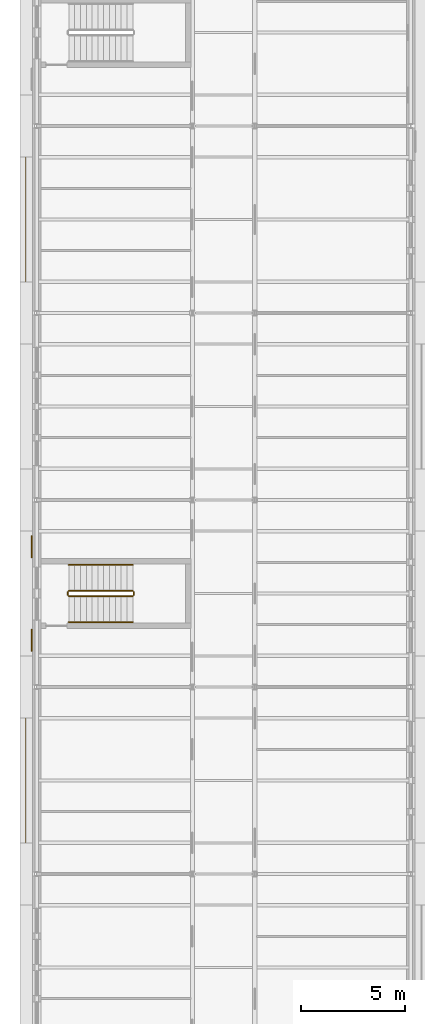
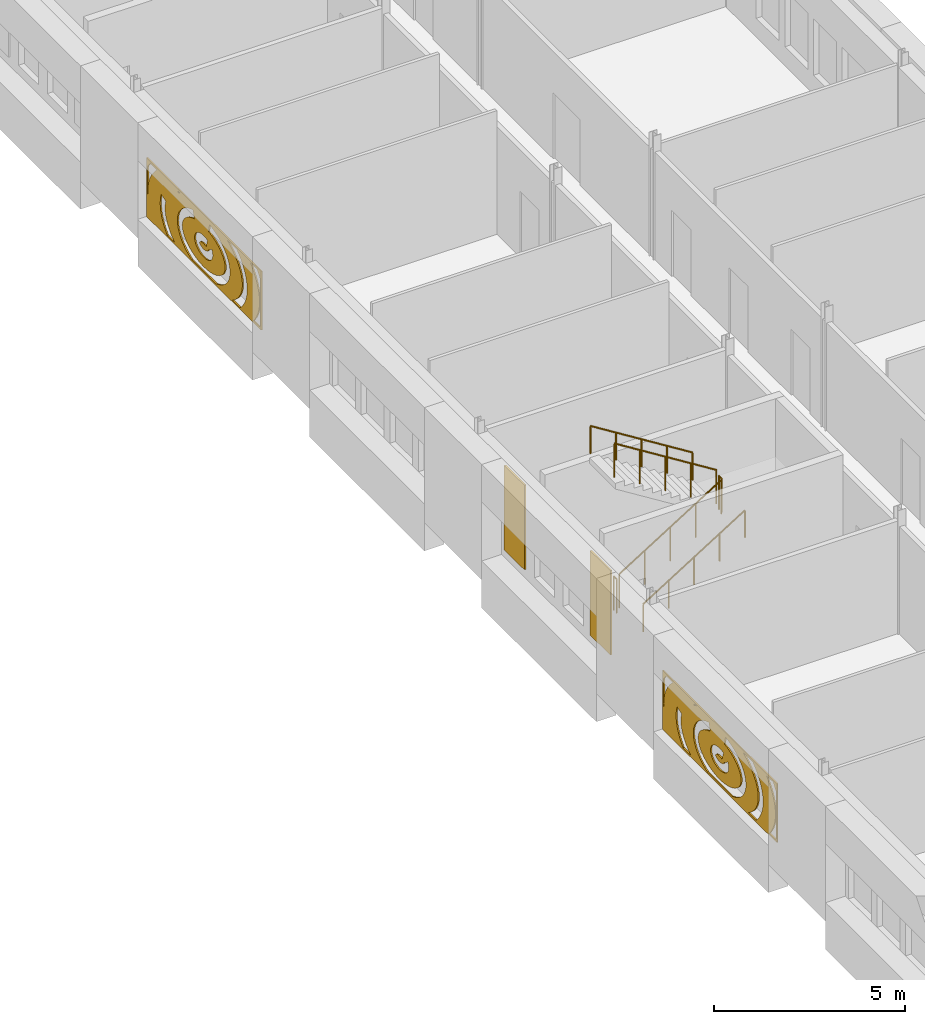
# One storey, part 35 of 42: 6 railings, 4 coverings.
"""IFC4 building model written with IfcOpenShell, lengths in metres."""

from ifc_helpers import new_model, si_unit, direction, frame, origin, origin_2d, place, context, subcontext, project, spatial, polyline, circle, outline, extrude, material, layer, layer_set, type_object, element, save


model = new_model("IFC4")

# Units and contexts
model_context = context("Model", 3, precision=1e-05, world=origin(), true_north=direction((0.0, 1.0)))
body_context = subcontext(model_context, "Body", "Model", "MODEL_VIEW")
ifc_project = project(units=[si_unit("LENGTHUNIT", "METRE"), si_unit("AREAUNIT", "SQUARE_METRE"), si_unit("VOLUMEUNIT", "CUBIC_METRE"), si_unit("PLANEANGLEUNIT", "RADIAN"), si_unit("MASSUNIT", "GRAM", prefix="KILO")], contexts=[model_context])

# Site, building, storey
site_placement = place(None, origin())
site = spatial("IfcSite", under=ifc_project, at=site_placement, CompositionType="ELEMENT")
building_placement = place(site_placement, origin())
building = spatial("IfcBuilding", under=site, at=building_placement, Name="Golden Quay Civic Hall", CompositionType="ELEMENT")
storey_placement = place(building_placement, frame((0.0, 0.0, 22.800048828125)))
storey = spatial("IfcBuildingStorey", under=building, at=storey_placement, Name="L05", CompositionType="ELEMENT", Elevation=22.800048828125)

# Coverings
ifc_material_1 = material(Name="Aluminium, golden anodised, perforated", Category="aluminium")
ifc_layer_1 = layer(ifc_material_1, 0.0400390625)
ifc_layer_set_1 = layer_set([ifc_layer_1], Name="Perforated screen panel 6000 x 1880 x 40")
covering_type_1 = type_object("IfcCoveringType", Name="Perforated screen panel 6000 x 1880 x 40", PredefinedType="CLADDING", material=ifc_layer_set_1)
covering_1_placement = place(storey_placement, frame((-0.5, 22.5, 1.5400390625), z_axis=(-1.0, 0.0, 0.0), x_axis=(0.0, -1.0, 0.0)))
element("IfcCovering", 1, at=covering_1_placement, inside=storey, type_object=covering_type_1, Name="Perforated screen panel 6000 x 1880 x 40 L05 1", PredefinedType="CLADDING", context=body_context, shape_type="SweptSolid", body=[
    extrude(outline(polyline([(-3.0, -0.93994140625), (3.0, -0.93994140625), (3.0, 0.93994140625), (-3.0, 0.93994140625), (-3.0, -0.93994140625)]), holes=[polyline([(0.079833984375, 0.0029296875), (0.031005859375, 0.009521484375), (-0.02001953125, 0.010009765625), (-0.069580078125, 0.0048828125), (-0.115478515625, -0.005615234375), (-0.155029296875, -0.0205078125), (-0.18603515625, -0.03759765625), (-0.214111328125, -0.06201171875), (-0.22119140625, -0.0732421875), (-0.22265625, -0.08349609375), (-0.20703125, -0.105712890625), (-0.17138671875, -0.13134765625), (-0.1357421875, -0.147705078125), (-0.092529296875, -0.160400390625), (-0.04443359375, -0.168212890625), (0.006103515625, -0.17041015625), (0.056396484375, -0.166748046875), (0.103515625, -0.15771484375), (0.14501953125, -0.143798828125), (0.19189453125, -0.118408203125), (0.210693359375, -0.101806640625), (0.22216796875, -0.085205078125), (0.22216796875, -0.0751953125), (0.212646484375, -0.05908203125), (0.4267578125, 0.07568359375), (0.446533203125, 0.042236328125), (0.461669921875, 0.00634765625), (0.4716796875, -0.03173828125), (0.47607421875, -0.07080078125), (0.474609375, -0.110107421875), (0.46728515625, -0.1484375), (0.45458984375, -0.184814453125), (0.425537109375, -0.2373046875), (0.392578125, -0.27783203125), (0.345703125, -0.3193359375), (0.304931640625, -0.34619140625), (0.237060546875, -0.379638671875), (0.171142578125, -0.4013671875), (0.09326171875, -0.4169921875), (0.013427734375, -0.42333984375), (-0.066650390625, -0.420166015625), (-0.14501953125, -0.40771484375), (-0.2197265625, -0.38623046875), (-0.289306640625, -0.355224609375), (-0.33056640625, -0.330078125), (-0.3798828125, -0.290283203125), (-0.41455078125, -0.25244140625), (-0.447021484375, -0.201416015625), (-0.467041015625, -0.14892578125), (-0.47607421875, -0.090087890625), (-0.4716796875, -0.031982421875), (-0.45458984375, 0.025146484375), (-0.436767578125, 0.059814453125), (-0.4150390625, 0.091796875), (-0.380615234375, 0.1298828125), (-0.322265625, 0.17578125), (-0.256103515625, 0.21142578125), (-0.183837890625, 0.23779296875), (-0.14599609375, 0.24755859375), (-0.074951171875, 0.25927734375), (0.012451171875, 0.26318359375), (0.084716796875, 0.25830078125), (0.1240234375, 0.252197265625), (0.199951171875, 0.23291015625), (0.128662109375, -0.009765625), (0.079833984375, 0.0029296875)]), polyline([(-0.645263671875, 0.447998046875), (-0.715087890625, 0.41650390625), (-0.780517578125, 0.382080078125), (-0.8408203125, 0.345458984375), (-0.895751953125, 0.306396484375), (-0.94482421875, 0.265380859375), (-0.988037109375, 0.22314453125), (-1.025146484375, 0.179931640625), (-1.05615234375, 0.135986328125), (-1.0810546875, 0.092041015625), (-1.10009765625, 0.048095703125), (-1.11328125, 0.00439453125), (-1.12109375, -0.039306640625), (-1.123291015625, -0.082763671875), (-1.120361328125, -0.126220703125), (-1.11181640625, -0.169677734375), (-1.097900390625, -0.21337890625), (-1.078369140625, -0.257568359375), (-1.052734375, -0.301513671875), (-1.02099609375, -0.34521484375), (-0.983154296875, -0.388427734375), (-0.939208984375, -0.4306640625), (-0.88916015625, -0.47119140625), (-0.833740234375, -0.510009765625), (-0.772705078125, -0.546630859375), (-0.706787109375, -0.58056640625), (-0.63623046875, -0.611572265625), (-0.5615234375, -0.639404296875), (-0.483154296875, -0.663818359375), (-0.401611328125, -0.684326171875), (-0.317626953125, -0.701416015625), (-0.2314453125, -0.714111328125), (-0.143798828125, -0.722900390625), (-0.05517578125, -0.727783203125), (0.03369140625, -0.728271484375), (0.122314453125, -0.724609375), (0.21044921875, -0.716796875), (0.296875, -0.704833984375), (0.381591796875, -0.68896484375), (0.463623046875, -0.669189453125), (0.54296875, -0.6455078125), (0.618408203125, -0.61865234375), (0.690185546875, -0.58837890625), (0.757080078125, -0.55517578125), (0.8193359375, -0.51904296875), (0.876220703125, -0.48095703125), (0.927490234375, -0.440673828125), (0.972900390625, -0.398681640625), (1.01220703125, -0.35595703125), (1.04541015625, -0.312255859375), (1.07275390625, -0.268310546875), (1.09375, -0.22412109375), (1.109130859375, -0.180419921875), (1.118896484375, -0.13671875), (1.123046875, -0.09326171875), (1.1220703125, -0.0498046875), (1.115478515625, -0.00634765625), (1.103759765625, 0.037353515625), (1.086181640625, 0.081298828125), (1.062744140625, 0.12548828125), (1.033203125, 0.16943359375), (0.99755859375, 0.212890625), (0.955810546875, 0.25537109375), (0.908203125, 0.296630859375), (0.854736328125, 0.336181640625), (0.795654296875, 0.37353515625), (0.7314453125, 0.408447265625), (0.66259765625, 0.4404296875), (0.58935546875, 0.469482421875), (0.51220703125, 0.4951171875), (0.431884765625, 0.517333984375), (0.3486328125, 0.53564453125), (0.26025390625, 0.55029296875), (0.30224609375, 0.7998046875), (0.393798828125, 0.784423828125), (0.489501953125, 0.763671875), (0.589111328125, 0.736083984375), (0.672607421875, 0.70849609375), (0.75927734375, 0.67431640625), (0.841796875, 0.635986328125), (0.927490234375, 0.58935546875), (1.001220703125, 0.542236328125), (1.062255859375, 0.4970703125), (1.125244140625, 0.443359375), (1.18212890625, 0.385986328125), (1.23974609375, 0.3154296875), (1.282958984375, 0.25), (1.312744140625, 0.194091796875), (1.34130859375, 0.12451171875), (1.36181640625, 0.052734375), (1.374755859375, -0.035888671875), (1.37548828125, -0.1103515625), (1.3671875, -0.18408203125), (1.350341796875, -0.256591796875), (1.330078125, -0.314208984375), (1.2978515625, -0.383544921875), (1.25048828125, -0.46044921875), (1.20263671875, -0.5224609375), (1.15576171875, -0.573486328125), (1.087646484375, -0.636474609375), (1.021240234375, -0.68798828125), (0.94970703125, -0.73583984375), (0.880126953125, -0.776123046875), (0.7919921875, -0.81982421875), (0.713623046875, -0.852783203125), (0.638427734375, -0.8798828125), (-0.639404296875, -0.8798828125), (-0.727783203125, -0.847412109375), (-0.81201171875, -0.810546875), (-0.89208984375, -0.76953125), (-0.967529296875, -0.724609375), (-1.037841796875, -0.67578125), (-1.102783203125, -0.623291015625), (-1.162109375, -0.5673828125), (-1.22216796875, -0.49853515625), (-1.26806640625, -0.434326171875), (-1.306396484375, -0.366943359375), (-1.331787109375, -0.310302734375), (-1.355224609375, -0.2392578125), (-1.3720703125, -0.151123046875), (-1.376220703125, -0.09228515625), (-1.373046875, -0.01806640625), (-1.357421875, 0.0703125), (-1.335205078125, 0.1416015625), (-1.3046875, 0.210693359375), (-1.266357421875, 0.27685546875), (-1.228271484375, 0.330810546875), (-1.176513671875, 0.39208984375), (-1.1181640625, 0.44970703125), (-1.046142578125, 0.509521484375), (-0.9765625, 0.558837890625), (-0.901611328125, 0.604248046875), (-0.822265625, 0.6455078125), (-0.738525390625, 0.682861328125), (-0.651123046875, 0.716064453125), (-0.566650390625, 0.742919921875), (-0.489990234375, 0.501953125), (-0.571044921875, 0.47607421875), (-0.645263671875, 0.447998046875)]), polyline([(-2.017333984375, 0.01220703125), (-2.023193359375, -0.059814453125), (-2.021484375, -0.132080078125), (-2.012451171875, -0.2041015625), (-1.995849609375, -0.27587890625), (-1.9716796875, -0.347900390625), (-1.93994140625, -0.419189453125), (-1.900390625, -0.48974609375), (-1.85302734375, -0.5595703125), (-1.798095703125, -0.628173828125), (-1.73583984375, -0.695068359375), (-1.666015625, -0.759765625), (-1.5888671875, -0.822265625), (-1.5078125, -0.8798828125), (-1.908203125, -0.8798828125), (-1.99267578125, -0.7900390625), (-2.059814453125, -0.70556640625), (-2.118408203125, -0.617919921875), (-2.163330078125, -0.53759765625), (-2.205078125, -0.4453125), (-2.237548828125, -0.350830078125), (-2.26025390625, -0.25439453125), (-2.273193359375, -0.156982421875), (-2.276123046875, -0.05908203125), (-2.268798828125, 0.038818359375), (-2.251708984375, 0.13623046875), (-2.224609375, 0.232421875), (-1.9814453125, 0.162109375), (-2.00390625, 0.084228515625), (-2.017333984375, 0.01220703125)]), polyline([(1.507080078125, -0.8798828125), (1.608642578125, -0.806884765625), (1.68408203125, -0.743896484375), (1.751953125, -0.678466796875), (1.8125, -0.611083984375), (1.865478515625, -0.54248046875), (1.910888671875, -0.472412109375), (1.948486328125, -0.4013671875), (1.978515625, -0.330078125), (2.00048828125, -0.258056640625), (2.015380859375, -0.18603515625), (2.022705078125, -0.114013671875), (2.022216796875, -0.0419921875), (2.0146484375, 0.0302734375), (1.99951171875, 0.102294921875), (1.976806640625, 0.174072265625), (1.946533203125, 0.245361328125), (1.90869140625, 0.31640625), (1.86279296875, 0.38623046875), (1.809326171875, 0.455078125), (1.748291015625, 0.522216796875), (1.679931640625, 0.58740234375), (1.604248046875, 0.650390625), (1.521728515625, 0.710693359375), (1.4326171875, 0.76806640625), (1.337158203125, 0.822021484375), (1.217529296875, 0.8798828125), (1.71875, 0.8798828125), (1.756591796875, 0.852294921875), (1.844970703125, 0.779296875), (1.9326171875, 0.695556640625), (2.0, 0.621337890625), (2.065673828125, 0.537353515625), (2.123291015625, 0.4501953125), (2.172119140625, 0.35986328125), (2.212158203125, 0.26708984375), (2.24267578125, 0.17236328125), (2.263427734375, 0.075927734375), (2.2744140625, -0.021728515625), (2.275390625, -0.119873046875), (2.266357421875, -0.2177734375), (2.243896484375, -0.326904296875), (2.214111328125, -0.421875), (2.174560546875, -0.514892578125), (2.126220703125, -0.60498046875), (2.069091796875, -0.6923828125), (2.010009765625, -0.769287109375), (1.93701171875, -0.851318359375), (1.9072265625, -0.8798828125), (1.507080078125, -0.8798828125)]), polyline([(-1.218505859375, 0.8798828125), (-1.32666015625, 0.827392578125), (-1.352294921875, 0.8798828125), (-1.218505859375, 0.8798828125)]), polyline([(2.65576171875, -0.81298828125), (2.71826171875, -0.724853515625), (2.772705078125, -0.635498046875), (2.818603515625, -0.544921875), (2.856201171875, -0.453369140625), (2.885498046875, -0.361083984375), (2.906494140625, -0.2685546875), (2.9189453125, -0.17578125), (2.92333984375, -0.0830078125), (2.91943359375, 0.010009765625), (2.907470703125, 0.102783203125), (2.886962890625, 0.1953125), (2.858154296875, 0.28759765625), (2.821044921875, 0.379150390625), (2.775634765625, 0.4697265625), (2.721923828125, 0.559326171875), (2.659912109375, 0.6474609375), (2.589599609375, 0.73388671875), (2.51123046875, 0.818359375), (2.446533203125, 0.8798828125), (2.796875, 0.8798828125), (2.864013671875, 0.796630859375), (2.93994140625, 0.687255859375), (2.93994140625, -0.846923828125), (2.918212890625, -0.8798828125), (2.6005859375, -0.8798828125), (2.65576171875, -0.81298828125)]), polyline([(-2.504638671875, 0.8251953125), (-2.58349609375, 0.740966796875), (-2.654296875, 0.654541015625), (-2.71728515625, 0.56640625), (-2.771484375, 0.47705078125), (-2.817626953125, 0.386474609375), (-2.85546875, 0.294921875), (-2.885009765625, 0.202880859375), (-2.906005859375, 0.1103515625), (-2.9189453125, 0.017578125), (-2.92333984375, -0.075439453125), (-2.91943359375, -0.173828125), (-2.93994140625, -0.1748046875), (-2.93994140625, 0.686767578125), (-2.85791015625, 0.8046875), (-2.79638671875, 0.8798828125), (-2.446533203125, 0.8798828125), (-2.504638671875, 0.8251953125)])]), origin(), (0.0, 0.0, 1.0), 0.0400390625),
])
covering_2_placement = place(storey_placement, frame((-0.5, 49.5, 1.5400390625), z_axis=(-1.0, 0.0, 0.0), x_axis=(0.0, -1.0, 0.0)))
element("IfcCovering", 2, at=covering_2_placement, inside=storey, type_object=covering_type_1, Name="Perforated screen panel 6000 x 1880 x 40 L05 2", PredefinedType="CLADDING", context=body_context, shape_type="SweptSolid", body=[
    extrude(outline(polyline([(-3.0, -0.93994140625), (3.0, -0.93994140625), (3.0, 0.93994140625), (-3.0, 0.93994140625), (-3.0, -0.93994140625)]), holes=[polyline([(0.079833984375, 0.0029296875), (0.031005859375, 0.009521484375), (-0.02001953125, 0.010009765625), (-0.069580078125, 0.0048828125), (-0.115478515625, -0.005615234375), (-0.155029296875, -0.0205078125), (-0.18603515625, -0.03759765625), (-0.214111328125, -0.06201171875), (-0.22119140625, -0.0732421875), (-0.22265625, -0.08349609375), (-0.20703125, -0.105712890625), (-0.17138671875, -0.13134765625), (-0.1357421875, -0.147705078125), (-0.092529296875, -0.160400390625), (-0.04443359375, -0.168212890625), (0.006103515625, -0.17041015625), (0.056396484375, -0.166748046875), (0.103515625, -0.15771484375), (0.14501953125, -0.143798828125), (0.19189453125, -0.118408203125), (0.210693359375, -0.101806640625), (0.22216796875, -0.085205078125), (0.22216796875, -0.0751953125), (0.212646484375, -0.05908203125), (0.4267578125, 0.07568359375), (0.446533203125, 0.042236328125), (0.461669921875, 0.00634765625), (0.4716796875, -0.03173828125), (0.47607421875, -0.07080078125), (0.474609375, -0.110107421875), (0.46728515625, -0.1484375), (0.45458984375, -0.184814453125), (0.425537109375, -0.2373046875), (0.392578125, -0.27783203125), (0.345703125, -0.3193359375), (0.304931640625, -0.34619140625), (0.237060546875, -0.379638671875), (0.171142578125, -0.4013671875), (0.09326171875, -0.4169921875), (0.013427734375, -0.42333984375), (-0.066650390625, -0.420166015625), (-0.14501953125, -0.40771484375), (-0.2197265625, -0.38623046875), (-0.289306640625, -0.355224609375), (-0.33056640625, -0.330078125), (-0.3798828125, -0.290283203125), (-0.41455078125, -0.25244140625), (-0.447021484375, -0.201416015625), (-0.467041015625, -0.14892578125), (-0.47607421875, -0.090087890625), (-0.4716796875, -0.031982421875), (-0.45458984375, 0.025146484375), (-0.436767578125, 0.059814453125), (-0.4150390625, 0.091796875), (-0.380615234375, 0.1298828125), (-0.322265625, 0.17578125), (-0.256103515625, 0.21142578125), (-0.183837890625, 0.23779296875), (-0.14599609375, 0.24755859375), (-0.074951171875, 0.25927734375), (0.012451171875, 0.26318359375), (0.084716796875, 0.25830078125), (0.1240234375, 0.252197265625), (0.199951171875, 0.23291015625), (0.128662109375, -0.009765625), (0.079833984375, 0.0029296875)]), polyline([(-0.645263671875, 0.447998046875), (-0.715087890625, 0.41650390625), (-0.780517578125, 0.382080078125), (-0.8408203125, 0.345458984375), (-0.895751953125, 0.306396484375), (-0.94482421875, 0.265380859375), (-0.988037109375, 0.22314453125), (-1.025146484375, 0.179931640625), (-1.05615234375, 0.135986328125), (-1.0810546875, 0.092041015625), (-1.10009765625, 0.048095703125), (-1.11328125, 0.00439453125), (-1.12109375, -0.039306640625), (-1.123291015625, -0.082763671875), (-1.120361328125, -0.126220703125), (-1.11181640625, -0.169677734375), (-1.097900390625, -0.21337890625), (-1.078369140625, -0.257568359375), (-1.052734375, -0.301513671875), (-1.02099609375, -0.34521484375), (-0.983154296875, -0.388427734375), (-0.939208984375, -0.4306640625), (-0.88916015625, -0.47119140625), (-0.833740234375, -0.510009765625), (-0.772705078125, -0.546630859375), (-0.706787109375, -0.58056640625), (-0.63623046875, -0.611572265625), (-0.5615234375, -0.639404296875), (-0.483154296875, -0.663818359375), (-0.401611328125, -0.684326171875), (-0.317626953125, -0.701416015625), (-0.2314453125, -0.714111328125), (-0.143798828125, -0.722900390625), (-0.05517578125, -0.727783203125), (0.03369140625, -0.728271484375), (0.122314453125, -0.724609375), (0.21044921875, -0.716796875), (0.296875, -0.704833984375), (0.381591796875, -0.68896484375), (0.463623046875, -0.669189453125), (0.54296875, -0.6455078125), (0.618408203125, -0.61865234375), (0.690185546875, -0.58837890625), (0.757080078125, -0.55517578125), (0.8193359375, -0.51904296875), (0.876220703125, -0.48095703125), (0.927490234375, -0.440673828125), (0.972900390625, -0.398681640625), (1.01220703125, -0.35595703125), (1.04541015625, -0.312255859375), (1.07275390625, -0.268310546875), (1.09375, -0.22412109375), (1.109130859375, -0.180419921875), (1.118896484375, -0.13671875), (1.123046875, -0.09326171875), (1.1220703125, -0.0498046875), (1.115478515625, -0.00634765625), (1.103759765625, 0.037353515625), (1.086181640625, 0.081298828125), (1.062744140625, 0.12548828125), (1.033203125, 0.16943359375), (0.99755859375, 0.212890625), (0.955810546875, 0.25537109375), (0.908203125, 0.296630859375), (0.854736328125, 0.336181640625), (0.795654296875, 0.37353515625), (0.7314453125, 0.408447265625), (0.66259765625, 0.4404296875), (0.58935546875, 0.469482421875), (0.51220703125, 0.4951171875), (0.431884765625, 0.517333984375), (0.3486328125, 0.53564453125), (0.26025390625, 0.55029296875), (0.30224609375, 0.7998046875), (0.393798828125, 0.784423828125), (0.489501953125, 0.763671875), (0.589111328125, 0.736083984375), (0.672607421875, 0.70849609375), (0.75927734375, 0.67431640625), (0.841796875, 0.635986328125), (0.927490234375, 0.58935546875), (1.001220703125, 0.542236328125), (1.062255859375, 0.4970703125), (1.125244140625, 0.443359375), (1.18212890625, 0.385986328125), (1.23974609375, 0.3154296875), (1.282958984375, 0.25), (1.312744140625, 0.194091796875), (1.34130859375, 0.12451171875), (1.36181640625, 0.052734375), (1.374755859375, -0.035888671875), (1.37548828125, -0.1103515625), (1.3671875, -0.18408203125), (1.350341796875, -0.256591796875), (1.330078125, -0.314208984375), (1.2978515625, -0.383544921875), (1.25048828125, -0.46044921875), (1.20263671875, -0.5224609375), (1.15576171875, -0.573486328125), (1.087646484375, -0.636474609375), (1.021240234375, -0.68798828125), (0.94970703125, -0.73583984375), (0.880126953125, -0.776123046875), (0.7919921875, -0.81982421875), (0.713623046875, -0.852783203125), (0.638427734375, -0.8798828125), (-0.639404296875, -0.8798828125), (-0.727783203125, -0.847412109375), (-0.81201171875, -0.810546875), (-0.89208984375, -0.76953125), (-0.967529296875, -0.724609375), (-1.037841796875, -0.67578125), (-1.102783203125, -0.623291015625), (-1.162109375, -0.5673828125), (-1.22216796875, -0.49853515625), (-1.26806640625, -0.434326171875), (-1.306396484375, -0.366943359375), (-1.331787109375, -0.310302734375), (-1.355224609375, -0.2392578125), (-1.3720703125, -0.151123046875), (-1.376220703125, -0.09228515625), (-1.373046875, -0.01806640625), (-1.357421875, 0.0703125), (-1.335205078125, 0.1416015625), (-1.3046875, 0.210693359375), (-1.266357421875, 0.27685546875), (-1.228271484375, 0.330810546875), (-1.176513671875, 0.39208984375), (-1.1181640625, 0.44970703125), (-1.046142578125, 0.509521484375), (-0.9765625, 0.558837890625), (-0.901611328125, 0.604248046875), (-0.822265625, 0.6455078125), (-0.738525390625, 0.682861328125), (-0.651123046875, 0.716064453125), (-0.566650390625, 0.742919921875), (-0.489990234375, 0.501953125), (-0.571044921875, 0.47607421875), (-0.645263671875, 0.447998046875)]), polyline([(-2.017333984375, 0.01220703125), (-2.023193359375, -0.059814453125), (-2.021484375, -0.132080078125), (-2.012451171875, -0.2041015625), (-1.995849609375, -0.27587890625), (-1.9716796875, -0.347900390625), (-1.93994140625, -0.419189453125), (-1.900390625, -0.48974609375), (-1.85302734375, -0.5595703125), (-1.798095703125, -0.628173828125), (-1.73583984375, -0.695068359375), (-1.666015625, -0.759765625), (-1.5888671875, -0.822265625), (-1.5078125, -0.8798828125), (-1.908203125, -0.8798828125), (-1.99267578125, -0.7900390625), (-2.059814453125, -0.70556640625), (-2.118408203125, -0.617919921875), (-2.163330078125, -0.53759765625), (-2.205078125, -0.4453125), (-2.237548828125, -0.350830078125), (-2.26025390625, -0.25439453125), (-2.273193359375, -0.156982421875), (-2.276123046875, -0.05908203125), (-2.268798828125, 0.038818359375), (-2.251708984375, 0.13623046875), (-2.224609375, 0.232421875), (-1.9814453125, 0.162109375), (-2.00390625, 0.084228515625), (-2.017333984375, 0.01220703125)]), polyline([(1.507080078125, -0.8798828125), (1.608642578125, -0.806884765625), (1.68408203125, -0.743896484375), (1.751953125, -0.678466796875), (1.8125, -0.611083984375), (1.865478515625, -0.54248046875), (1.910888671875, -0.472412109375), (1.948486328125, -0.4013671875), (1.978515625, -0.330078125), (2.00048828125, -0.258056640625), (2.015380859375, -0.18603515625), (2.022705078125, -0.114013671875), (2.022216796875, -0.0419921875), (2.0146484375, 0.0302734375), (1.99951171875, 0.102294921875), (1.976806640625, 0.174072265625), (1.946533203125, 0.245361328125), (1.90869140625, 0.31640625), (1.86279296875, 0.38623046875), (1.809326171875, 0.455078125), (1.748291015625, 0.522216796875), (1.679931640625, 0.58740234375), (1.604248046875, 0.650390625), (1.521728515625, 0.710693359375), (1.4326171875, 0.76806640625), (1.337158203125, 0.822021484375), (1.217529296875, 0.8798828125), (1.71875, 0.8798828125), (1.756591796875, 0.852294921875), (1.844970703125, 0.779296875), (1.9326171875, 0.695556640625), (2.0, 0.621337890625), (2.065673828125, 0.537353515625), (2.123291015625, 0.4501953125), (2.172119140625, 0.35986328125), (2.212158203125, 0.26708984375), (2.24267578125, 0.17236328125), (2.263427734375, 0.075927734375), (2.2744140625, -0.021728515625), (2.275390625, -0.119873046875), (2.266357421875, -0.2177734375), (2.243896484375, -0.326904296875), (2.214111328125, -0.421875), (2.174560546875, -0.514892578125), (2.126220703125, -0.60498046875), (2.069091796875, -0.6923828125), (2.010009765625, -0.769287109375), (1.93701171875, -0.851318359375), (1.9072265625, -0.8798828125), (1.507080078125, -0.8798828125)]), polyline([(-1.218505859375, 0.8798828125), (-1.32666015625, 0.827392578125), (-1.352294921875, 0.8798828125), (-1.218505859375, 0.8798828125)]), polyline([(2.65576171875, -0.81298828125), (2.71826171875, -0.724853515625), (2.772705078125, -0.635498046875), (2.818603515625, -0.544921875), (2.856201171875, -0.453369140625), (2.885498046875, -0.361083984375), (2.906494140625, -0.2685546875), (2.9189453125, -0.17578125), (2.92333984375, -0.0830078125), (2.91943359375, 0.010009765625), (2.907470703125, 0.102783203125), (2.886962890625, 0.1953125), (2.858154296875, 0.28759765625), (2.821044921875, 0.379150390625), (2.775634765625, 0.4697265625), (2.721923828125, 0.559326171875), (2.659912109375, 0.6474609375), (2.589599609375, 0.73388671875), (2.51123046875, 0.818359375), (2.446533203125, 0.8798828125), (2.796875, 0.8798828125), (2.864013671875, 0.796630859375), (2.93994140625, 0.687255859375), (2.93994140625, -0.846923828125), (2.918212890625, -0.8798828125), (2.6005859375, -0.8798828125), (2.65576171875, -0.81298828125)]), polyline([(-2.504638671875, 0.8251953125), (-2.58349609375, 0.740966796875), (-2.654296875, 0.654541015625), (-2.71728515625, 0.56640625), (-2.771484375, 0.47705078125), (-2.817626953125, 0.386474609375), (-2.85546875, 0.294921875), (-2.885009765625, 0.202880859375), (-2.906005859375, 0.1103515625), (-2.9189453125, 0.017578125), (-2.92333984375, -0.075439453125), (-2.91943359375, -0.173828125), (-2.93994140625, -0.1748046875), (-2.93994140625, 0.686767578125), (-2.85791015625, 0.8046875), (-2.79638671875, 0.8798828125), (-2.446533203125, 0.8798828125), (-2.504638671875, 0.8251953125)])]), origin(), (0.0, 0.0, 1.0), 0.0400390625),
])

# Railings
ifc_material_2 = material(Name="Steel S355", Category="steel")
railing_type_1 = type_object("IfcRailingType", Name="Steel guard 1100", PredefinedType="GUARDRAIL", material=ifc_material_2)
railing_1_placement = place(storey_placement, frame((1.550048828125, 31.375, 0.175048828125)))
element("IfcRailing", 3, at=railing_1_placement, inside=storey, type_object=railing_type_1, Name="L05 WO-M stair guard 1", PredefinedType="GUARDRAIL", context=body_context, shape_type="SweptSolid", body=[
    extrude(circle(Radius=0.02392578125, at=origin_2d()), frame((0.0, 0.0, 1.076171875), z_axis=(0.848009633417, 0.0, 0.529980812513), x_axis=(0.0, 1.0, 0.0)), (0.0, 0.0, 1.0), 3.6318359375),
    extrude(circle(Radius=0.02099609375, at=origin_2d()), origin(), (0.0, 0.0, 1.0), 1.052001953125),
    extrude(circle(Radius=0.02099609375, at=origin_2d()), frame((0.77001953125, 0.0, 0.481201171875)), (0.0, 0.0, 1.0), 1.052001953125),
    extrude(circle(Radius=0.02099609375, at=origin_2d()), frame((1.5400390625, 0.0, 0.96240234375)), (0.0, 0.0, 1.0), 1.052001953125),
    extrude(circle(Radius=0.02099609375, at=origin_2d()), frame((2.309814453125, 0.0, 1.443603515625)), (0.0, 0.0, 1.0), 1.052001953125),
    extrude(circle(Radius=0.02099609375, at=origin_2d()), frame((3.079833984375, 0.0, 1.9248046875)), (0.0, 0.0, 1.0), 1.052001953125),
])
railing_2_placement = place(storey_placement, frame((4.679931640625, 31.425048828125, 2.099853515625)))
element("IfcRailing", 4, at=railing_2_placement, inside=storey, type_object=railing_type_1, Name="L05 WO-M stair guard 2", PredefinedType="GUARDRAIL", context=body_context, shape_type="SweptSolid", body=[
    extrude(circle(Radius=0.02392578125, at=origin_2d()), frame((0.0, 0.0, 1.076171875), z_axis=(0.0, 1.0, 0.0), x_axis=(-1.0, 0.0, 0.0)), (0.0, 0.0, 1.0), 0.14990234375),
    extrude(circle(Radius=0.02099609375, at=origin_2d()), origin(), (0.0, 0.0, 1.0), 1.052001953125),
    extrude(circle(Radius=0.02099609375, at=origin_2d()), frame((0.0, 0.14990234375, 0.0)), (0.0, 0.0, 1.0), 1.052001953125),
])
railing_3_placement = place(storey_placement, frame((4.6298828125, 31.625, 2.27490234375)))
element("IfcRailing", 5, at=railing_3_placement, inside=storey, type_object=railing_type_1, Name="L05 WO-M stair guard 3", PredefinedType="GUARDRAIL", context=body_context, shape_type="SweptSolid", body=[
    extrude(circle(Radius=0.02392578125, at=origin_2d()), frame((0.0, 0.0, 1.076171875), z_axis=(-0.847979421464, 0.0, 0.530029150871), x_axis=(0.0, -1.0, 0.0)), (0.0, 0.0, 1.0), 3.632080078125),
    extrude(circle(Radius=0.02099609375, at=origin_2d()), origin(), (0.0, 0.0, 1.0), 1.052001953125),
    extrude(circle(Radius=0.02099609375, at=origin_2d()), frame((-0.77001953125, 0.0, 0.481201171875)), (0.0, 0.0, 1.0), 1.052001953125),
    extrude(circle(Radius=0.02099609375, at=origin_2d()), frame((-1.5400390625, 0.0, 0.96240234375)), (0.0, 0.0, 1.0), 1.052001953125),
    extrude(circle(Radius=0.02099609375, at=origin_2d()), frame((-2.309814453125, 0.0, 1.44384765625)), (0.0, 0.0, 1.0), 1.052001953125),
    extrude(circle(Radius=0.02099609375, at=origin_2d()), frame((-3.079833984375, 0.0, 1.925048828125)), (0.0, 0.0, 1.0), 1.052001953125),
])
railing_4_placement = place(storey_placement, frame((1.5, 31.425048828125, 0.0)))
element("IfcRailing", 6, at=railing_4_placement, inside=storey, type_object=railing_type_1, Name="L05 WO-M stair guard 4", PredefinedType="GUARDRAIL", context=body_context, shape_type="SweptSolid", body=[
    extrude(circle(Radius=0.02392578125, at=origin_2d()), frame((0.0, 0.0, 1.076171875), z_axis=(0.0, 1.0, 0.0), x_axis=(-1.0, 0.0, 0.0)), (0.0, 0.0, 1.0), 0.14990234375),
    extrude(circle(Radius=0.02099609375, at=origin_2d()), origin(), (0.0, 0.0, 1.0), 1.052001953125),
    extrude(circle(Radius=0.02099609375, at=origin_2d()), frame((0.0, 0.14990234375, 0.0)), (0.0, 0.0, 1.0), 1.052001953125),
])
ifc_material_3 = material(Name="Steel S355", Category="steel")
railing_type_2 = type_object("IfcRailingType", Name="Steel handrail 900", PredefinedType="HANDRAIL", material=ifc_material_3)
railing_5_placement = place(storey_placement, frame((1.550048828125, 30.125, 0.175048828125)))
element("IfcRailing", 7, at=railing_5_placement, inside=storey, type_object=railing_type_2, Name="L05 WO-M stair handrail 1", PredefinedType="HANDRAIL", context=body_context, shape_type="SweptSolid", body=[
    extrude(circle(Radius=0.02392578125, at=origin_2d()), frame((0.0, 0.0, 0.8759765625), z_axis=(0.848009633417, 0.0, 0.529980812513), x_axis=(0.0, 1.0, 0.0)), (0.0, 0.0, 1.0), 3.6318359375),
    extrude(circle(Radius=0.02099609375, at=origin_2d()), origin(), (0.0, 0.0, 1.0), 0.851806640625),
    extrude(circle(Radius=0.02099609375, at=origin_2d()), frame((0.77001953125, 0.0, 0.481201171875)), (0.0, 0.0, 1.0), 0.851806640625),
    extrude(circle(Radius=0.02099609375, at=origin_2d()), frame((1.5400390625, 0.0, 0.96240234375)), (0.0, 0.0, 1.0), 0.851806640625),
    extrude(circle(Radius=0.02099609375, at=origin_2d()), frame((2.309814453125, 0.0, 1.443603515625)), (0.0, 0.0, 1.0), 0.851806640625),
    extrude(circle(Radius=0.02099609375, at=origin_2d()), frame((3.079833984375, 0.0, 1.9248046875)), (0.0, 0.0, 1.0), 0.851806640625),
])
railing_6_placement = place(storey_placement, frame((4.6298828125, 32.875, 2.27490234375)))
element("IfcRailing", 8, at=railing_6_placement, inside=storey, type_object=railing_type_2, Name="L05 WO-M stair handrail 2", PredefinedType="HANDRAIL", context=body_context, shape_type="SweptSolid", body=[
    extrude(circle(Radius=0.02392578125, at=origin_2d()), frame((0.0, 0.0, 0.8759765625), z_axis=(-0.847979421464, 0.0, 0.530029150871), x_axis=(0.0, -1.0, 0.0)), (0.0, 0.0, 1.0), 3.632080078125),
    extrude(circle(Radius=0.02099609375, at=origin_2d()), origin(), (0.0, 0.0, 1.0), 0.851806640625),
    extrude(circle(Radius=0.02099609375, at=origin_2d()), frame((-0.77001953125, 0.0, 0.481201171875)), (0.0, 0.0, 1.0), 0.851806640625),
    extrude(circle(Radius=0.02099609375, at=origin_2d()), frame((-1.5400390625, 0.0, 0.96240234375)), (0.0, 0.0, 1.0), 0.851806640625),
    extrude(circle(Radius=0.02099609375, at=origin_2d()), frame((-2.309814453125, 0.0, 1.44384765625)), (0.0, 0.0, 1.0), 0.851806640625),
    extrude(circle(Radius=0.02099609375, at=origin_2d()), frame((-3.079833984375, 0.0, 1.925048828125)), (0.0, 0.0, 1.0), 0.851806640625),
])

# Coverings
ifc_material_4 = material(Name="Terracotta cladding, golden glaze", Category="masonry")
ifc_layer_2 = layer(ifc_material_4, 0.050048828125)
ifc_layer_set_2 = layer_set([ifc_layer_2], Name="Terracotta solid panel 1050 x 2700 x 50")
covering_type_2 = type_object("IfcCoveringType", Name="Terracotta solid panel 1050 x 2700 x 50", PredefinedType="CLADDING", material=ifc_layer_set_2)
covering_3_placement = place(storey_placement, frame((0.0, 0.0, 0.89990234375)))
element("IfcCovering", 9, at=covering_3_placement, inside=storey, type_object=covering_type_2, Name="Terracotta solid panel 1050 x 2700 x 50 L05 2", PredefinedType="CLADDING", context=body_context, shape_type="SweptSolid", body=[
    extrude(outline(polyline([(-0.199951171875, 28.72509765625), (-0.199951171875, 29.77490234375), (-0.25, 29.77490234375), (-0.25, 28.72509765625), (-0.199951171875, 28.72509765625)])), origin(), (0.0, 0.0, 1.0), 2.699951171875),
])
covering_4_placement = place(storey_placement, frame((0.0, 0.0, 0.89990234375)))
element("IfcCovering", 10, at=covering_4_placement, inside=storey, type_object=covering_type_2, Name="Terracotta solid panel 1050 x 2700 x 50 L05 3", PredefinedType="CLADDING", context=body_context, shape_type="SweptSolid", body=[
    extrude(outline(polyline([(-0.199951171875, 33.22509765625), (-0.199951171875, 34.27490234375), (-0.25, 34.27490234375), (-0.25, 33.22509765625), (-0.199951171875, 33.22509765625)])), origin(), (0.0, 0.0, 1.0), 2.699951171875),
])

save(model, "model.ifc")
